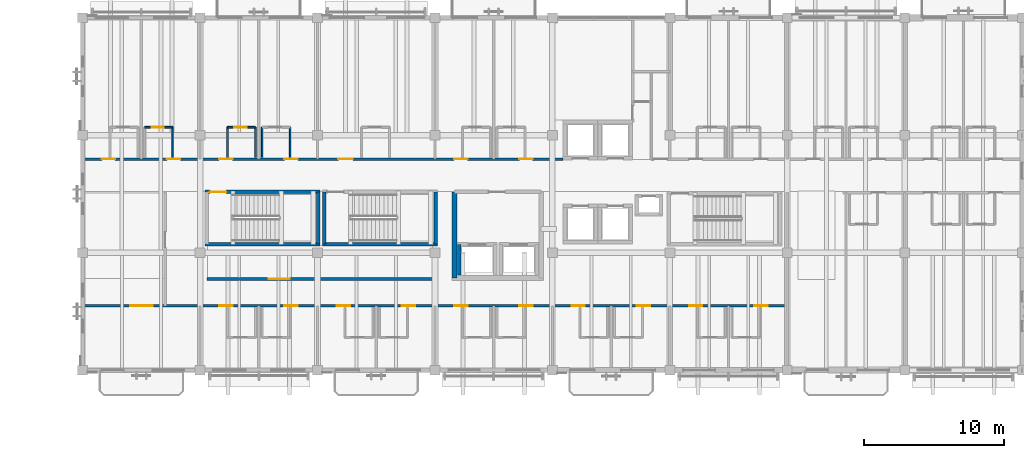
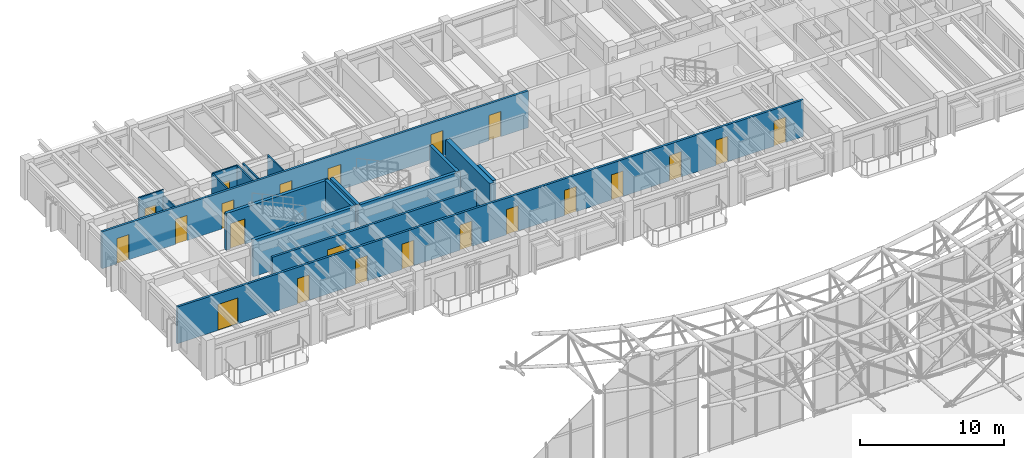
# One storey, part 79 of 93: 22 doors, 18 walls, 22 openings.
"""IFC4 building model written with IfcOpenShell, lengths in metres."""

from ifc_helpers import new_model, si_unit, direction, frame, frame_2d, origin, place, context, subcontext, project, spatial, rectangle, extrude, material, layer, layer_set, type_object, element, fill, save


model = new_model("IFC4")

# Units and contexts
model_context = context("Model", 3, precision=1e-05, world=origin(), true_north=direction((0.0, 1.0)))
body_context = subcontext(model_context, "Body", "Model", "MODEL_VIEW")
ifc_project = project(units=[si_unit("LENGTHUNIT", "METRE"), si_unit("AREAUNIT", "SQUARE_METRE"), si_unit("VOLUMEUNIT", "CUBIC_METRE"), si_unit("PLANEANGLEUNIT", "RADIAN"), si_unit("MASSUNIT", "GRAM", prefix="KILO")], contexts=[model_context])

# Site, building, storey
site_placement = place(None, origin())
site = spatial("IfcSite", under=ifc_project, at=site_placement, CompositionType="ELEMENT")
building_placement = place(site_placement, origin())
building = spatial("IfcBuilding", under=site, at=building_placement, Name="Cumbredor Promenade Congress Hotel", CompositionType="ELEMENT")
storey_placement = place(building_placement, frame((0.0, 0.0, 21.840087890625)))
storey = spatial("IfcBuildingStorey", under=building, at=storey_placement, Name="L06", CompositionType="ELEMENT", Elevation=21.840087890625)

# Wall
ifc_material_1 = material(Name="Concrete C50/60", Category="concrete")
ifc_layer_1 = layer(ifc_material_1, 0.35009765625, Name="Concrete C50/60", Category="concrete")
ifc_layer_set_1 = layer_set([ifc_layer_1], Name="Concrete C50/60")
wall_type_1 = type_object("IfcWallType", Name="Seismic Shear Core Wall 350mm", PredefinedType="SHEAR", material=ifc_layer_set_1)
wall_1_placement = place(storey_placement, frame((26.60009765625, 99.0, 0.0), z_axis=(0.0, 0.0, 1.0), x_axis=(0.0, 1.0, 0.0)))
element("IfcWall", 1, at=wall_1_placement, inside=storey, type_object=wall_type_1, Name="L06 Hotel Core Shear Wall W1", PredefinedType="SHEAR", context=body_context, shape_type="SweptSolid", body=[
    extrude(rectangle(XDim=6.14990234375, YDim=0.35009765625, at=frame_2d((3.074951171875, 0.0))), origin(), (0.0, 0.0, 1.0), 3.119873046875),
])

# Wall, opening, door
ifc_material_2 = material(Name="Moisture-resistant gypsum board on steel studs", Category="steel")
ifc_layer_2 = layer(ifc_material_2, 0.114990234375, Name="Moisture-resistant gypsum board on steel studs", Category="steel")
ifc_layer_set_2 = layer_set([ifc_layer_2], Name="Moisture-resistant gypsum board on steel studs")
wall_type_2 = type_object("IfcWallType", Name="WL-BATH-115", PredefinedType="PARTITIONING", material=ifc_layer_set_2)
wall_2_placement = place(storey_placement, frame((4.43994140625, 109.77001953125, 0.0), z_axis=(0.0, 0.0, 1.0), x_axis=(1.0, 0.0, 0.0)))
wall_2 = element("IfcWall", 2, at=wall_2_placement, inside=storey, type_object=wall_type_2, Name="L06 Interior Partition W-L06-BH-0602", PredefinedType="PARTITIONING", context=body_context, shape_type="SweptSolid", body=[
    extrude(rectangle(XDim=2.0, YDim=0.114990234375, at=frame_2d((1.0, 0.0))), origin(), (0.0, 0.0, 1.0), 3.119873046875),
])
opening_1_placement = place(wall_2_placement, frame((0.5, 0.0, 0.0)))
opening_1 = element("IfcOpeningElement", 3, at=opening_1_placement, cuts=wall_2, Name="Opening ID-01", PredefinedType="OPENING", context=body_context, shape_type="SweptSolid", body=[
    extrude(rectangle(XDim=0.860107421875, YDim=2.050048828125, at=frame_2d((0.43017578125, 1.02490234375))), frame((0.0, 0.0673828125, 0.0), z_axis=(0.0, -1.0, 0.0), x_axis=(1.0, 0.0, 0.0)), (0.0, 0.0, 1.0), 0.135009765625),
])
ifc_material_3 = material(Name="Kiln-dried tropical hardwood", Category="wood")
door_type_1 = type_object("IfcDoorType", Name="DR-BATH-860", OperationType="NOTDEFINED", PredefinedType="DOOR", material=ifc_material_3)
door_1_placement = place(opening_1_placement, origin())
door_1 = element("IfcDoor", 4, at=door_1_placement, inside=storey, type_object=door_type_1, Name="L06 Interior Door W-L06-BH-0602-01", OperationType="SINGLE_SWING_RIGHT", OverallHeight=2.050048828125, OverallWidth=0.860107421875, PredefinedType="DOOR", context=body_context, shape_type="SweptSolid", body=[
    extrude(rectangle(XDim=0.860107421875, YDim=2.050048828125, at=frame_2d((0.43017578125, 1.02490234375))), frame((0.0, 0.02490234375, 0.0), z_axis=(0.0, -1.0, 0.0), x_axis=(1.0, 0.0, 0.0)), (0.0, 0.0, 1.0), 0.050048828125),
])
fill(opening_1, door_1)

# Wall
wall_3_placement = place(storey_placement, frame((6.43994140625, 107.6201171875, 0.0), z_axis=(0.0, 0.0, 1.0), x_axis=(0.0, 1.0, 0.0)))
element("IfcWall", 5, at=wall_3_placement, inside=storey, type_object=wall_type_2, Name="L06 Interior Partition W-L06-BV2-0602", PredefinedType="PARTITIONING", context=body_context, shape_type="SweptSolid", body=[
    extrude(rectangle(XDim=2.14990234375, YDim=0.114990234375, at=frame_2d((1.074951171875, 0.0))), origin(), (0.0, 0.0, 1.0), 2.641845703125),
])

# Wall, opening, door
wall_4_placement = place(storey_placement, frame((10.360107421875, 109.77001953125, 0.0), z_axis=(0.0, 0.0, 1.0), x_axis=(1.0, 0.0, 0.0)))
wall_4 = element("IfcWall", 6, at=wall_4_placement, inside=storey, type_object=wall_type_2, Name="L06 Interior Partition W-L06-BH-0603", PredefinedType="PARTITIONING", context=body_context, shape_type="SweptSolid", body=[
    extrude(rectangle(XDim=2.0, YDim=0.114990234375, at=frame_2d((1.0, 0.0))), origin(), (0.0, 0.0, 1.0), 3.119873046875),
])
opening_2_placement = place(wall_4_placement, frame((0.5, 0.0, 0.0)))
opening_2 = element("IfcOpeningElement", 7, at=opening_2_placement, cuts=wall_4, Name="Opening ID-01", PredefinedType="OPENING", context=body_context, shape_type="SweptSolid", body=[
    extrude(rectangle(XDim=0.860107421875, YDim=2.050048828125, at=frame_2d((0.43017578125, 1.02490234375))), frame((0.0, 0.0673828125, 0.0), z_axis=(0.0, -1.0, 0.0), x_axis=(1.0, 0.0, 0.0)), (0.0, 0.0, 1.0), 0.135009765625),
])
door_2_placement = place(opening_2_placement, origin())
door_2 = element("IfcDoor", 8, at=door_2_placement, inside=storey, type_object=door_type_1, Name="L06 Interior Door W-L06-BH-0603-01", OperationType="SINGLE_SWING_LEFT", OverallHeight=2.050048828125, OverallWidth=0.860107421875, PredefinedType="DOOR", context=body_context, shape_type="SweptSolid", body=[
    extrude(rectangle(XDim=0.860107421875, YDim=2.050048828125, at=frame_2d((0.43017578125, 1.02490234375))), frame((0.0, 0.02490234375, 0.0), z_axis=(0.0, -1.0, 0.0), x_axis=(1.0, 0.0, 0.0)), (0.0, 0.0, 1.0), 0.050048828125),
])
fill(opening_2, door_2)

# Walls
for number, where, z_axis, x_axis, name in (
    (9, (10.360107421875, 107.6201171875, 0.0), (0.0, 0.0, 1.0), (0.0, 1.0, 0.0), "L06 Interior Partition W-L06-BV1-0603"),
    (10, (12.360107421875, 107.6201171875, 0.0), (0.0, 0.0, 1.0), (0.0, 1.0, 0.0), "L06 Interior Partition W-L06-BV2-0603"),
    (11, (12.840087890625, 107.6201171875, 0.0), (0.0, 0.0, 1.0), (0.0, 1.0, 0.0), "L06 Interior Partition W-L06-BV1-0604"),
    (12, (14.840087890625, 107.6201171875, 0.0), (0.0, 0.0, 1.0), (0.0, 1.0, 0.0), "L06 Interior Partition W-L06-BV2-0604"),
):
    element("IfcWall", number, at=place(storey_placement, frame(where, z_axis=z_axis, x_axis=x_axis)), inside=storey, type_object=wall_type_2, Name=name, PredefinedType="PARTITIONING", context=body_context, shape_type="SweptSolid", body=[
        extrude(rectangle(XDim=2.14990234375, YDim=0.114990234375, at=frame_2d((1.074951171875, 0.0))), origin(), (0.0, 0.0, 1.0), 3.119873046875),
    ])

# Wall, openings, doors
ifc_material_4 = material(Name="Fire-rated hotel corridor wall")
ifc_layer_3 = layer(ifc_material_4, 0.179931640625, Name="Fire-rated hotel corridor wall")
ifc_layer_set_3 = layer_set([ifc_layer_3], Name="Fire-rated hotel corridor wall")
wall_type_3 = type_object("IfcWallType", Name="WL-CORR-180", PredefinedType="PARTITIONING", material=ifc_layer_set_3)
wall_5_placement = place(storey_placement, frame((0.139892578125, 107.5, 0.0), z_axis=(0.0, 0.0, 1.0), x_axis=(1.0, 0.0, 0.0)))
wall_5 = element("IfcWall", 13, at=wall_5_placement, inside=storey, type_object=wall_type_3, Name="L06 Interior Partition W-L06-CORR-NW", PredefinedType="PARTITIONING", context=body_context, shape_type="SweptSolid", body=[
    extrude(rectangle(XDim=34.230224609375, YDim=0.179931640625, at=frame_2d((17.115234375, 0.0))), origin(), (0.0, 0.0, 1.0), 3.119873046875),
])
opening_3_placement = place(wall_5_placement, frame((1.22998046875, 0.0, 0.0)))
opening_3 = element("IfcOpeningElement", 14, at=opening_3_placement, cuts=wall_5, Name="Opening FD-01", PredefinedType="OPENING", context=body_context, shape_type="SweptSolid", body=[
    extrude(rectangle(XDim=0.9599609375, YDim=2.14990234375, at=frame_2d((0.47998046875, 1.074951171875))), frame((0.0, 0.10009765625, 0.0), z_axis=(0.0, -1.0, 0.0), x_axis=(1.0, 0.0, 0.0)), (0.0, 0.0, 1.0), 0.199951171875),
])
opening_4_placement = place(wall_5_placement, frame((5.889892578125, 0.0, 0.0)))
opening_4 = element("IfcOpeningElement", 15, at=opening_4_placement, cuts=wall_5, Name="Opening FD-01", PredefinedType="OPENING", context=body_context, shape_type="SweptSolid", body=[
    extrude(rectangle(XDim=0.9599609375, YDim=2.14990234375, at=frame_2d((0.47998046875, 1.074951171875))), frame((0.0, 0.10009765625, 0.0), z_axis=(0.0, -1.0, 0.0), x_axis=(1.0, 0.0, 0.0)), (0.0, 0.0, 1.0), 0.199951171875),
])
opening_5_placement = place(wall_5_placement, frame((9.6298828125, 0.0, 0.0)))
opening_5 = element("IfcOpeningElement", 16, at=opening_5_placement, cuts=wall_5, Name="Opening FD-01", PredefinedType="OPENING", context=body_context, shape_type="SweptSolid", body=[
    extrude(rectangle(XDim=0.9599609375, YDim=2.14990234375, at=frame_2d((0.47998046875, 1.074951171875))), frame((0.0, 0.10009765625, 0.0), z_axis=(0.0, -1.0, 0.0), x_axis=(1.0, 0.0, 0.0)), (0.0, 0.0, 1.0), 0.199951171875),
])
opening_6_placement = place(wall_5_placement, frame((14.2900390625, 0.0, 0.0)))
opening_6 = element("IfcOpeningElement", 17, at=opening_6_placement, cuts=wall_5, Name="Opening FD-01", PredefinedType="OPENING", context=body_context, shape_type="SweptSolid", body=[
    extrude(rectangle(XDim=0.9599609375, YDim=2.14990234375, at=frame_2d((0.47998046875, 1.074951171875))), frame((0.0, 0.10009765625, 0.0), z_axis=(0.0, -1.0, 0.0), x_axis=(1.0, 0.0, 0.0)), (0.0, 0.0, 1.0), 0.199951171875),
])
opening_7_placement = place(wall_5_placement, frame((18.159912109375, 0.0, 0.0)))
opening_7 = element("IfcOpeningElement", 18, at=opening_7_placement, cuts=wall_5, Name="Opening FD-02", PredefinedType="OPENING", context=body_context, shape_type="SweptSolid", body=[
    extrude(rectangle(XDim=1.02001953125, YDim=2.14990234375, at=frame_2d((0.510009765625, 1.074951171875))), frame((0.0, 0.10009765625, 0.0), z_axis=(0.0, -1.0, 0.0), x_axis=(1.0, 0.0, 0.0)), (0.0, 0.0, 1.0), 0.199951171875),
])
opening_8_placement = place(wall_5_placement, frame((26.429931640625, 0.0, 0.0)))
opening_8 = element("IfcOpeningElement", 19, at=opening_8_placement, cuts=wall_5, Name="Opening FD-01", PredefinedType="OPENING", context=body_context, shape_type="SweptSolid", body=[
    extrude(rectangle(XDim=0.9599609375, YDim=2.14990234375, at=frame_2d((0.47998046875, 1.074951171875))), frame((0.0, 0.10009765625, 0.0), z_axis=(0.0, -1.0, 0.0), x_axis=(1.0, 0.0, 0.0)), (0.0, 0.0, 1.0), 0.199951171875),
])
opening_9_placement = place(wall_5_placement, frame((31.090087890625, 0.0, 0.0)))
opening_9 = element("IfcOpeningElement", 20, at=opening_9_placement, cuts=wall_5, Name="Opening FD-01", PredefinedType="OPENING", context=body_context, shape_type="SweptSolid", body=[
    extrude(rectangle(XDim=0.9599609375, YDim=2.14990234375, at=frame_2d((0.47998046875, 1.074951171875))), frame((0.0, 0.10009765625, 0.0), z_axis=(0.0, -1.0, 0.0), x_axis=(1.0, 0.0, 0.0)), (0.0, 0.0, 1.0), 0.199951171875),
])
ifc_material_5 = material(Name="Solid-core fire-rated tropical hardwood", Category="wood")
door_type_2 = type_object("IfcDoorType", Name="DR-GUEST-FD30-1000", OperationType="NOTDEFINED", PredefinedType="DOOR", material=ifc_material_5)
door_3_placement = place(opening_7_placement, origin())
door_3 = element("IfcDoor", 21, at=door_3_placement, inside=storey, type_object=door_type_2, Name="L06 Interior Door W-L06-CORR-NW-05", OperationType="SINGLE_SWING_RIGHT", OverallHeight=2.14990234375, OverallWidth=1.02001953125, PredefinedType="DOOR", context=body_context, shape_type="SweptSolid", body=[
    extrude(rectangle(XDim=1.02001953125, YDim=2.14990234375, at=frame_2d((0.510009765625, 1.074951171875))), frame((0.0, 0.02490234375, 0.0), z_axis=(0.0, -1.0, 0.0), x_axis=(1.0, 0.0, 0.0)), (0.0, 0.0, 1.0), 0.050048828125),
])
fill(opening_7, door_3)
door_type_3 = type_object("IfcDoorType", Name="DR-GUEST-FD30-950", OperationType="NOTDEFINED", PredefinedType="DOOR", material=ifc_material_5)
door_4_placement = place(opening_3_placement, origin())
door_4 = element("IfcDoor", 22, at=door_4_placement, inside=storey, type_object=door_type_3, Name="L06 Interior Door W-L06-CORR-NW-01", OperationType="SINGLE_SWING_RIGHT", OverallHeight=2.14990234375, OverallWidth=0.9599609375, PredefinedType="DOOR", context=body_context, shape_type="SweptSolid", body=[
    extrude(rectangle(XDim=0.9599609375, YDim=2.14990234375, at=frame_2d((0.47998046875, 1.074951171875))), frame((0.0, 0.02490234375, 0.0), z_axis=(0.0, -1.0, 0.0), x_axis=(1.0, 0.0, 0.0)), (0.0, 0.0, 1.0), 0.050048828125),
])
fill(opening_3, door_4)
door_5_placement = place(opening_4_placement, origin())
door_5 = element("IfcDoor", 23, at=door_5_placement, inside=storey, type_object=door_type_3, Name="L06 Interior Door W-L06-CORR-NW-02", OperationType="SINGLE_SWING_LEFT", OverallHeight=2.14990234375, OverallWidth=0.9599609375, PredefinedType="DOOR", context=body_context, shape_type="SweptSolid", body=[
    extrude(rectangle(XDim=0.9599609375, YDim=2.14990234375, at=frame_2d((0.47998046875, 1.074951171875))), frame((0.0, 0.02490234375, 0.0), z_axis=(0.0, -1.0, 0.0), x_axis=(1.0, 0.0, 0.0)), (0.0, 0.0, 1.0), 0.050048828125),
])
fill(opening_4, door_5)
door_6_placement = place(opening_5_placement, origin())
door_6 = element("IfcDoor", 24, at=door_6_placement, inside=storey, type_object=door_type_3, Name="L06 Interior Door W-L06-CORR-NW-03", OperationType="SINGLE_SWING_RIGHT", OverallHeight=2.14990234375, OverallWidth=0.9599609375, PredefinedType="DOOR", context=body_context, shape_type="SweptSolid", body=[
    extrude(rectangle(XDim=0.9599609375, YDim=2.14990234375, at=frame_2d((0.47998046875, 1.074951171875))), frame((0.0, 0.02490234375, 0.0), z_axis=(0.0, -1.0, 0.0), x_axis=(1.0, 0.0, 0.0)), (0.0, 0.0, 1.0), 0.050048828125),
])
fill(opening_5, door_6)
door_7_placement = place(opening_6_placement, origin())
door_7 = element("IfcDoor", 25, at=door_7_placement, inside=storey, type_object=door_type_3, Name="L06 Interior Door W-L06-CORR-NW-04", OperationType="SINGLE_SWING_LEFT", OverallHeight=2.14990234375, OverallWidth=0.9599609375, PredefinedType="DOOR", context=body_context, shape_type="SweptSolid", body=[
    extrude(rectangle(XDim=0.9599609375, YDim=2.14990234375, at=frame_2d((0.47998046875, 1.074951171875))), frame((0.0, 0.02490234375, 0.0), z_axis=(0.0, -1.0, 0.0), x_axis=(1.0, 0.0, 0.0)), (0.0, 0.0, 1.0), 0.050048828125),
])
fill(opening_6, door_7)
door_8_placement = place(opening_8_placement, origin())
door_8 = element("IfcDoor", 26, at=door_8_placement, inside=storey, type_object=door_type_3, Name="L06 Interior Door W-L06-CORR-NW-06", OperationType="SINGLE_SWING_LEFT", OverallHeight=2.14990234375, OverallWidth=0.9599609375, PredefinedType="DOOR", context=body_context, shape_type="SweptSolid", body=[
    extrude(rectangle(XDim=0.9599609375, YDim=2.14990234375, at=frame_2d((0.47998046875, 1.074951171875))), frame((0.0, 0.02490234375, 0.0), z_axis=(0.0, -1.0, 0.0), x_axis=(1.0, 0.0, 0.0)), (0.0, 0.0, 1.0), 0.050048828125),
])
fill(opening_8, door_8)
door_9_placement = place(opening_9_placement, origin())
door_9 = element("IfcDoor", 27, at=door_9_placement, inside=storey, type_object=door_type_3, Name="L06 Interior Door W-L06-CORR-NW-07", OperationType="SINGLE_SWING_RIGHT", OverallHeight=2.14990234375, OverallWidth=0.9599609375, PredefinedType="DOOR", context=body_context, shape_type="SweptSolid", body=[
    extrude(rectangle(XDim=0.9599609375, YDim=2.14990234375, at=frame_2d((0.47998046875, 1.074951171875))), frame((0.0, 0.02490234375, 0.0), z_axis=(0.0, -1.0, 0.0), x_axis=(1.0, 0.0, 0.0)), (0.0, 0.0, 1.0), 0.050048828125),
])
fill(opening_9, door_9)

wall_6_placement = place(storey_placement, frame((0.1298828125, 97.0, 0.0), z_axis=(0.0, 0.0, 1.0), x_axis=(1.0, 0.0, 0.0)))
wall_6 = element("IfcWall", 28, at=wall_6_placement, inside=storey, type_object=wall_type_3, Name="L06 Interior Partition W-L06-SC-CORRW", PredefinedType="PARTITIONING", context=body_context, shape_type="SweptSolid", body=[
    extrude(rectangle(XDim=50.27001953125, YDim=0.179931640625, at=frame_2d((25.135009765625, 0.0))), origin(), (0.0, 0.0, 1.0), 3.119873046875),
])
opening_10_placement = place(wall_6_placement, frame((3.27001953125, 0.0, 0.0)))
opening_10 = element("IfcOpeningElement", 29, at=opening_10_placement, cuts=wall_6, Name="Opening FD-08", PredefinedType="OPENING", context=body_context, shape_type="SweptSolid", body=[
    extrude(rectangle(XDim=1.6201171875, YDim=2.199951171875, at=frame_2d((0.81005859375, 1.10009765625))), frame((0.0, 0.10009765625, 0.0), z_axis=(0.0, -1.0, 0.0), x_axis=(1.0, 0.0, 0.0)), (0.0, 0.0, 1.0), 0.199951171875),
])
opening_11_placement = place(wall_6_placement, frame((9.639892578125, 0.0, 0.0)))
opening_11 = element("IfcOpeningElement", 30, at=opening_11_placement, cuts=wall_6, Name="Opening FD-01", PredefinedType="OPENING", context=body_context, shape_type="SweptSolid", body=[
    extrude(rectangle(XDim=0.9599609375, YDim=2.14990234375, at=frame_2d((0.47998046875, 1.074951171875))), frame((0.0, 0.10009765625, 0.0), z_axis=(0.0, -1.0, 0.0), x_axis=(1.0, 0.0, 0.0)), (0.0, 0.0, 1.0), 0.199951171875),
])
opening_12_placement = place(wall_6_placement, frame((14.300048828125, 0.0, 0.0)))
opening_12 = element("IfcOpeningElement", 31, at=opening_12_placement, cuts=wall_6, Name="Opening FD-01", PredefinedType="OPENING", context=body_context, shape_type="SweptSolid", body=[
    extrude(rectangle(XDim=0.9599609375, YDim=2.14990234375, at=frame_2d((0.47998046875, 1.074951171875))), frame((0.0, 0.10009765625, 0.0), z_axis=(0.0, -1.0, 0.0), x_axis=(1.0, 0.0, 0.0)), (0.0, 0.0, 1.0), 0.199951171875),
])
opening_13_placement = place(wall_6_placement, frame((18.0400390625, 0.0, 0.0)))
opening_13 = element("IfcOpeningElement", 32, at=opening_13_placement, cuts=wall_6, Name="Opening FD-01", PredefinedType="OPENING", context=body_context, shape_type="SweptSolid", body=[
    extrude(rectangle(XDim=0.9599609375, YDim=2.14990234375, at=frame_2d((0.47998046875, 1.074951171875))), frame((0.0, 0.10009765625, 0.0), z_axis=(0.0, -1.0, 0.0), x_axis=(1.0, 0.0, 0.0)), (0.0, 0.0, 1.0), 0.199951171875),
])
opening_14_placement = place(wall_6_placement, frame((22.699951171875, 0.0, 0.0)))
opening_14 = element("IfcOpeningElement", 33, at=opening_14_placement, cuts=wall_6, Name="Opening FD-01", PredefinedType="OPENING", context=body_context, shape_type="SweptSolid", body=[
    extrude(rectangle(XDim=0.9599609375, YDim=2.14990234375, at=frame_2d((0.47998046875, 1.074951171875))), frame((0.0, 0.10009765625, 0.0), z_axis=(0.0, -1.0, 0.0), x_axis=(1.0, 0.0, 0.0)), (0.0, 0.0, 1.0), 0.199951171875),
])
opening_15_placement = place(wall_6_placement, frame((26.43994140625, 0.0, 0.0)))
opening_15 = element("IfcOpeningElement", 34, at=opening_15_placement, cuts=wall_6, Name="Opening FD-01", PredefinedType="OPENING", context=body_context, shape_type="SweptSolid", body=[
    extrude(rectangle(XDim=0.9599609375, YDim=2.14990234375, at=frame_2d((0.47998046875, 1.074951171875))), frame((0.0, 0.10009765625, 0.0), z_axis=(0.0, -1.0, 0.0), x_axis=(1.0, 0.0, 0.0)), (0.0, 0.0, 1.0), 0.199951171875),
])
opening_16_placement = place(wall_6_placement, frame((31.10009765625, 0.0, 0.0)))
opening_16 = element("IfcOpeningElement", 35, at=opening_16_placement, cuts=wall_6, Name="Opening FD-01", PredefinedType="OPENING", context=body_context, shape_type="SweptSolid", body=[
    extrude(rectangle(XDim=0.9599609375, YDim=2.14990234375, at=frame_2d((0.47998046875, 1.074951171875))), frame((0.0, 0.10009765625, 0.0), z_axis=(0.0, -1.0, 0.0), x_axis=(1.0, 0.0, 0.0)), (0.0, 0.0, 1.0), 0.199951171875),
])
opening_17_placement = place(wall_6_placement, frame((34.840087890625, 0.0, 0.0)))
opening_17 = element("IfcOpeningElement", 36, at=opening_17_placement, cuts=wall_6, Name="Opening FD-01", PredefinedType="OPENING", context=body_context, shape_type="SweptSolid", body=[
    extrude(rectangle(XDim=0.9599609375, YDim=2.14990234375, at=frame_2d((0.47998046875, 1.074951171875))), frame((0.0, 0.10009765625, 0.0), z_axis=(0.0, -1.0, 0.0), x_axis=(1.0, 0.0, 0.0)), (0.0, 0.0, 1.0), 0.199951171875),
])
opening_18_placement = place(wall_6_placement, frame((39.5, 0.0, 0.0)))
opening_18 = element("IfcOpeningElement", 37, at=opening_18_placement, cuts=wall_6, Name="Opening FD-01", PredefinedType="OPENING", context=body_context, shape_type="SweptSolid", body=[
    extrude(rectangle(XDim=0.9599609375, YDim=2.14990234375, at=frame_2d((0.47998046875, 1.074951171875))), frame((0.0, 0.10009765625, 0.0), z_axis=(0.0, -1.0, 0.0), x_axis=(1.0, 0.0, 0.0)), (0.0, 0.0, 1.0), 0.199951171875),
])
opening_19_placement = place(wall_6_placement, frame((43.239990234375, 0.0, 0.0)))
opening_19 = element("IfcOpeningElement", 38, at=opening_19_placement, cuts=wall_6, Name="Opening FD-01", PredefinedType="OPENING", context=body_context, shape_type="SweptSolid", body=[
    extrude(rectangle(XDim=0.9599609375, YDim=2.14990234375, at=frame_2d((0.47998046875, 1.074951171875))), frame((0.0, 0.10009765625, 0.0), z_axis=(0.0, -1.0, 0.0), x_axis=(1.0, 0.0, 0.0)), (0.0, 0.0, 1.0), 0.199951171875),
])
opening_20_placement = place(wall_6_placement, frame((47.89990234375, 0.0, 0.0)))
opening_20 = element("IfcOpeningElement", 39, at=opening_20_placement, cuts=wall_6, Name="Opening FD-01", PredefinedType="OPENING", context=body_context, shape_type="SweptSolid", body=[
    extrude(rectangle(XDim=0.9599609375, YDim=2.14990234375, at=frame_2d((0.47998046875, 1.074951171875))), frame((0.0, 0.10009765625, 0.0), z_axis=(0.0, -1.0, 0.0), x_axis=(1.0, 0.0, 0.0)), (0.0, 0.0, 1.0), 0.199951171875),
])
door_type_4 = type_object("IfcDoorType", Name="DR-DBL-FD60-1600", OperationType="DOUBLE_DOOR_SINGLE_SWING", PredefinedType="DOOR", material=ifc_material_5)
door_10_placement = place(opening_10_placement, origin())
door_10 = element("IfcDoor", 40, at=door_10_placement, inside=storey, type_object=door_type_4, Name="L06 Interior Door W-L06-SC-CORRW-01", OperationType="DOUBLE_DOOR_SINGLE_SWING", OverallHeight=2.199951171875, OverallWidth=1.6201171875, PredefinedType="DOOR", context=body_context, shape_type="SweptSolid", body=[
    extrude(rectangle(XDim=1.6201171875, YDim=2.199951171875, at=frame_2d((0.81005859375, 1.10009765625))), frame((0.0, 0.02490234375, 0.0), z_axis=(0.0, -1.0, 0.0), x_axis=(1.0, 0.0, 0.0)), (0.0, 0.0, 1.0), 0.050048828125),
])
fill(opening_10, door_10)
door_11_placement = place(opening_11_placement, origin())
door_11 = element("IfcDoor", 41, at=door_11_placement, inside=storey, type_object=door_type_3, Name="L06 Interior Door W-L06-SC-CORRW-02", OperationType="SINGLE_SWING_LEFT", OverallHeight=2.14990234375, OverallWidth=0.9599609375, PredefinedType="DOOR", context=body_context, shape_type="SweptSolid", body=[
    extrude(rectangle(XDim=0.9599609375, YDim=2.14990234375, at=frame_2d((0.47998046875, 1.074951171875))), frame((0.0, 0.02490234375, 0.0), z_axis=(0.0, -1.0, 0.0), x_axis=(1.0, 0.0, 0.0)), (0.0, 0.0, 1.0), 0.050048828125),
])
fill(opening_11, door_11)
door_12_placement = place(opening_12_placement, origin())
door_12 = element("IfcDoor", 42, at=door_12_placement, inside=storey, type_object=door_type_3, Name="L06 Interior Door W-L06-SC-CORRW-03", OperationType="SINGLE_SWING_RIGHT", OverallHeight=2.14990234375, OverallWidth=0.9599609375, PredefinedType="DOOR", context=body_context, shape_type="SweptSolid", body=[
    extrude(rectangle(XDim=0.9599609375, YDim=2.14990234375, at=frame_2d((0.47998046875, 1.074951171875))), frame((0.0, 0.02490234375, 0.0), z_axis=(0.0, -1.0, 0.0), x_axis=(1.0, 0.0, 0.0)), (0.0, 0.0, 1.0), 0.050048828125),
])
fill(opening_12, door_12)
door_13_placement = place(opening_13_placement, origin())
door_13 = element("IfcDoor", 43, at=door_13_placement, inside=storey, type_object=door_type_3, Name="L06 Interior Door W-L06-SC-CORRW-04", OperationType="SINGLE_SWING_LEFT", OverallHeight=2.14990234375, OverallWidth=0.9599609375, PredefinedType="DOOR", context=body_context, shape_type="SweptSolid", body=[
    extrude(rectangle(XDim=0.9599609375, YDim=2.14990234375, at=frame_2d((0.47998046875, 1.074951171875))), frame((0.0, 0.02490234375, 0.0), z_axis=(0.0, -1.0, 0.0), x_axis=(1.0, 0.0, 0.0)), (0.0, 0.0, 1.0), 0.050048828125),
])
fill(opening_13, door_13)
door_14_placement = place(opening_14_placement, origin())
door_14 = element("IfcDoor", 44, at=door_14_placement, inside=storey, type_object=door_type_3, Name="L06 Interior Door W-L06-SC-CORRW-05", OperationType="SINGLE_SWING_RIGHT", OverallHeight=2.14990234375, OverallWidth=0.9599609375, PredefinedType="DOOR", context=body_context, shape_type="SweptSolid", body=[
    extrude(rectangle(XDim=0.9599609375, YDim=2.14990234375, at=frame_2d((0.47998046875, 1.074951171875))), frame((0.0, 0.02490234375, 0.0), z_axis=(0.0, -1.0, 0.0), x_axis=(1.0, 0.0, 0.0)), (0.0, 0.0, 1.0), 0.050048828125),
])
fill(opening_14, door_14)
door_15_placement = place(opening_15_placement, origin())
door_15 = element("IfcDoor", 45, at=door_15_placement, inside=storey, type_object=door_type_3, Name="L06 Interior Door W-L06-SC-CORRW-06", OperationType="SINGLE_SWING_LEFT", OverallHeight=2.14990234375, OverallWidth=0.9599609375, PredefinedType="DOOR", context=body_context, shape_type="SweptSolid", body=[
    extrude(rectangle(XDim=0.9599609375, YDim=2.14990234375, at=frame_2d((0.47998046875, 1.074951171875))), frame((0.0, 0.02490234375, 0.0), z_axis=(0.0, -1.0, 0.0), x_axis=(1.0, 0.0, 0.0)), (0.0, 0.0, 1.0), 0.050048828125),
])
fill(opening_15, door_15)
door_16_placement = place(opening_16_placement, origin())
door_16 = element("IfcDoor", 46, at=door_16_placement, inside=storey, type_object=door_type_3, Name="L06 Interior Door W-L06-SC-CORRW-07", OperationType="SINGLE_SWING_RIGHT", OverallHeight=2.14990234375, OverallWidth=0.9599609375, PredefinedType="DOOR", context=body_context, shape_type="SweptSolid", body=[
    extrude(rectangle(XDim=0.9599609375, YDim=2.14990234375, at=frame_2d((0.47998046875, 1.074951171875))), frame((0.0, 0.02490234375, 0.0), z_axis=(0.0, -1.0, 0.0), x_axis=(1.0, 0.0, 0.0)), (0.0, 0.0, 1.0), 0.050048828125),
])
fill(opening_16, door_16)
door_17_placement = place(opening_17_placement, origin())
door_17 = element("IfcDoor", 47, at=door_17_placement, inside=storey, type_object=door_type_3, Name="L06 Interior Door W-L06-SC-CORRW-08", OperationType="SINGLE_SWING_LEFT", OverallHeight=2.14990234375, OverallWidth=0.9599609375, PredefinedType="DOOR", context=body_context, shape_type="SweptSolid", body=[
    extrude(rectangle(XDim=0.9599609375, YDim=2.14990234375, at=frame_2d((0.47998046875, 1.074951171875))), frame((0.0, 0.02490234375, 0.0), z_axis=(0.0, -1.0, 0.0), x_axis=(1.0, 0.0, 0.0)), (0.0, 0.0, 1.0), 0.050048828125),
])
fill(opening_17, door_17)
door_18_placement = place(opening_18_placement, origin())
door_18 = element("IfcDoor", 48, at=door_18_placement, inside=storey, type_object=door_type_3, Name="L06 Interior Door W-L06-SC-CORRW-09", OperationType="SINGLE_SWING_RIGHT", OverallHeight=2.14990234375, OverallWidth=0.9599609375, PredefinedType="DOOR", context=body_context, shape_type="SweptSolid", body=[
    extrude(rectangle(XDim=0.9599609375, YDim=2.14990234375, at=frame_2d((0.47998046875, 1.074951171875))), frame((0.0, 0.02490234375, 0.0), z_axis=(0.0, -1.0, 0.0), x_axis=(1.0, 0.0, 0.0)), (0.0, 0.0, 1.0), 0.050048828125),
])
fill(opening_18, door_18)
door_19_placement = place(opening_19_placement, origin())
door_19 = element("IfcDoor", 49, at=door_19_placement, inside=storey, type_object=door_type_3, Name="L06 Interior Door W-L06-SC-CORRW-10", OperationType="SINGLE_SWING_LEFT", OverallHeight=2.14990234375, OverallWidth=0.9599609375, PredefinedType="DOOR", context=body_context, shape_type="SweptSolid", body=[
    extrude(rectangle(XDim=0.9599609375, YDim=2.14990234375, at=frame_2d((0.47998046875, 1.074951171875))), frame((0.0, 0.02490234375, 0.0), z_axis=(0.0, -1.0, 0.0), x_axis=(1.0, 0.0, 0.0)), (0.0, 0.0, 1.0), 0.050048828125),
])
fill(opening_19, door_19)
door_20_placement = place(opening_20_placement, origin())
door_20 = element("IfcDoor", 50, at=door_20_placement, inside=storey, type_object=door_type_3, Name="L06 Interior Door W-L06-SC-CORRW-11", OperationType="SINGLE_SWING_RIGHT", OverallHeight=2.14990234375, OverallWidth=0.9599609375, PredefinedType="DOOR", context=body_context, shape_type="SweptSolid", body=[
    extrude(rectangle(XDim=0.9599609375, YDim=2.14990234375, at=frame_2d((0.47998046875, 1.074951171875))), frame((0.0, 0.02490234375, 0.0), z_axis=(0.0, -1.0, 0.0), x_axis=(1.0, 0.0, 0.0)), (0.0, 0.0, 1.0), 0.050048828125),
])
fill(opening_20, door_20)

# Wall, opening, door
wall_7_placement = place(storey_placement, frame((8.8798828125, 98.919921875, 0.0), z_axis=(0.0, 0.0, 1.0), x_axis=(1.0, 0.0, 0.0)))
wall_7 = element("IfcWall", 51, at=wall_7_placement, inside=storey, type_object=wall_type_3, Name="L06 Interior Partition W-L06-STUDY-S", PredefinedType="PARTITIONING", context=body_context, shape_type="SweptSolid", body=[
    extrude(rectangle(XDim=16.3701171875, YDim=0.179931640625, at=frame_2d((8.18505859375, 0.0))), origin(), (0.0, 0.0, 1.0), 3.119873046875),
])
opening_21_placement = place(wall_7_placement, frame((4.419921875, 0.0, 0.0)))
opening_21 = element("IfcOpeningElement", 52, at=opening_21_placement, cuts=wall_7, Name="Opening FD-07", PredefinedType="OPENING", context=body_context, shape_type="SweptSolid", body=[
    extrude(rectangle(XDim=1.5, YDim=2.199951171875, at=frame_2d((0.75, 1.10009765625))), frame((0.0, 0.10009765625, 0.0), z_axis=(0.0, -1.0, 0.0), x_axis=(1.0, 0.0, 0.0)), (0.0, 0.0, 1.0), 0.199951171875),
])
door_type_5 = type_object("IfcDoorType", Name="DR-DBL-FD60-1500", OperationType="DOUBLE_DOOR_SINGLE_SWING", PredefinedType="DOOR", material=ifc_material_5)
door_21_placement = place(opening_21_placement, origin())
door_21 = element("IfcDoor", 53, at=door_21_placement, inside=storey, type_object=door_type_5, Name="L06 Interior Door W-L06-STUDY-S-01", OperationType="DOUBLE_DOOR_SINGLE_SWING", OverallHeight=2.199951171875, OverallWidth=1.5, PredefinedType="DOOR", context=body_context, shape_type="SweptSolid", body=[
    extrude(rectangle(XDim=1.5, YDim=2.199951171875, at=frame_2d((0.75, 1.10009765625))), frame((0.0, 0.02490234375, 0.0), z_axis=(0.0, -1.0, 0.0), x_axis=(1.0, 0.0, 0.0)), (0.0, 0.0, 1.0), 0.050048828125),
])
fill(opening_21, door_21)

# Wall
ifc_material_6 = material(Name="Concrete C40/50", Category="concrete")
ifc_layer_4 = layer(ifc_material_6, 0.2548828125, Name="Concrete C40/50", Category="concrete")
ifc_layer_set_4 = layer_set([ifc_layer_4], Name="Concrete C40/50")
wall_type_4 = type_object("IfcWallType", Name="WL-SHAFT-250", PredefinedType="SOLIDWALL", material=ifc_layer_set_4)
wall_8_placement = place(storey_placement, frame((8.75244140625, 101.419921875, 0.0), z_axis=(0.0, 0.0, 1.0), x_axis=(1.0, 0.0, 0.0)))
element("IfcWall", 54, at=wall_8_placement, inside=storey, type_object=wall_type_4, Name="STAIR-ST-01-L06 Shaft Wall South", PredefinedType="SOLIDWALL", context=body_context, shape_type="SweptSolid", body=[
    extrude(rectangle(XDim=8.22509765625, YDim=0.2548828125, at=frame_2d((4.112548828125, 0.0))), origin(), (0.0, 0.0, 1.0), 3.119873046875),
])

# Wall, opening, door
wall_9_placement = place(storey_placement, frame((8.75244140625, 105.14990234375, 0.0), z_axis=(0.0, 0.0, 1.0), x_axis=(1.0, 0.0, 0.0)))
wall_9 = element("IfcWall", 55, at=wall_9_placement, inside=storey, type_object=wall_type_4, Name="STAIR-ST-01-L06 Shaft Wall North", PredefinedType="SOLIDWALL", context=body_context, shape_type="SweptSolid", body=[
    extrude(rectangle(XDim=8.22509765625, YDim=0.2548828125, at=frame_2d((4.112548828125, 0.0))), origin(), (0.0, 0.0, 1.0), 3.119873046875),
])
opening_22_placement = place(wall_9_placement, frame((0.35009765625, 0.0, 0.0)))
opening_22 = element("IfcOpeningElement", 56, at=opening_22_placement, cuts=wall_9, Name="Opening SD-01", PredefinedType="OPENING", context=body_context, shape_type="SweptSolid", body=[
    extrude(rectangle(XDim=1.159912109375, YDim=2.14990234375, at=frame_2d((0.580078125, 1.074951171875))), frame((0.0, 0.137451171875, 0.0), z_axis=(0.0, -1.0, 0.0), x_axis=(1.0, 0.0, 0.0)), (0.0, 0.0, 1.0), 0.27490234375),
])
ifc_material_7 = material(Name="Painted galvanized steel fire door", Category="steel")
door_type_6 = type_object("IfcDoorType", Name="DR-STAIR-FD90-1150", OperationType="NOTDEFINED", PredefinedType="DOOR", material=ifc_material_7)
door_22_placement = place(opening_22_placement, origin())
door_22 = element("IfcDoor", 57, at=door_22_placement, inside=storey, type_object=door_type_6, Name="L06 Protected Exit Stair ST-01 Door", OperationType="SINGLE_SWING_RIGHT", OverallHeight=2.14990234375, OverallWidth=1.159912109375, PredefinedType="DOOR", context=body_context, shape_type="SweptSolid", body=[
    extrude(rectangle(XDim=1.159912109375, YDim=2.14990234375, at=frame_2d((0.580078125, 1.074951171875))), frame((0.0, 0.02490234375, 0.0), z_axis=(0.0, -1.0, 0.0), x_axis=(1.0, 0.0, 0.0)), (0.0, 0.0, 1.0), 0.050048828125),
])
fill(opening_22, door_22)

# Walls
wall_10_placement = place(storey_placement, frame((16.85009765625, 101.419921875, 0.0), z_axis=(0.0, 0.0, 1.0), x_axis=(0.0, 1.0, 0.0)))
element("IfcWall", 58, at=wall_10_placement, inside=storey, type_object=wall_type_4, Name="STAIR-ST-01-L06 Shaft Wall East", PredefinedType="SOLIDWALL", context=body_context, shape_type="SweptSolid", body=[
    extrude(rectangle(XDim=3.72998046875, YDim=0.2548828125, at=frame_2d((1.864990234375, 0.0))), origin(), (0.0, 0.0, 1.0), 3.119873046875),
])
wall_11_placement = place(storey_placement, frame((17.152587890625, 101.419921875, 0.0), z_axis=(0.0, 0.0, 1.0), x_axis=(1.0, 0.0, 0.0)))
element("IfcWall", 59, at=wall_11_placement, inside=storey, type_object=wall_type_4, Name="STAIR-ST-02-L06 Shaft Wall South", PredefinedType="SOLIDWALL", context=body_context, shape_type="SweptSolid", body=[
    extrude(rectangle(XDim=8.224853515625, YDim=0.2548828125, at=frame_2d((4.1123046875, 0.0))), origin(), (0.0, 0.0, 1.0), 3.119873046875),
])
for number, where, z_axis, x_axis, name in (
    (60, (17.280029296875, 101.419921875, 0.0), (0.0, 0.0, 1.0), (0.0, 1.0, 0.0), "STAIR-ST-02-L06 Shaft Wall West"),
    (61, (25.25, 101.419921875, 0.0), (0.0, 0.0, 1.0), (0.0, 1.0, 0.0), "STAIR-ST-02-L06 Shaft Wall East"),
):
    element("IfcWall", number, at=place(storey_placement, frame(where, z_axis=z_axis, x_axis=x_axis)), inside=storey, type_object=wall_type_4, Name=name, PredefinedType="SOLIDWALL", context=body_context, shape_type="SweptSolid", body=[
        extrude(rectangle(XDim=3.72998046875, YDim=0.2548828125, at=frame_2d((1.864990234375, 0.0))), origin(), (0.0, 0.0, 1.0), 3.119873046875),
    ])
wall_12_placement = place(storey_placement, frame((26.929931640625, 99.199951171875, 0.0), z_axis=(0.0, 0.0, 1.0), x_axis=(0.0, 1.0, 0.0)))
element("IfcWall", 62, at=wall_12_placement, inside=storey, type_object=wall_type_4, Name="SHAFT-FF-01-L06 Shaft Wall West", PredefinedType="SOLIDWALL", context=body_context, shape_type="SweptSolid", body=[
    extrude(rectangle(XDim=2.199951171875, YDim=0.2548828125, at=frame_2d((1.10009765625, 0.0))), origin(), (0.0, 0.0, 1.0), 3.119873046875),
])

save(model, "model.ifc")
